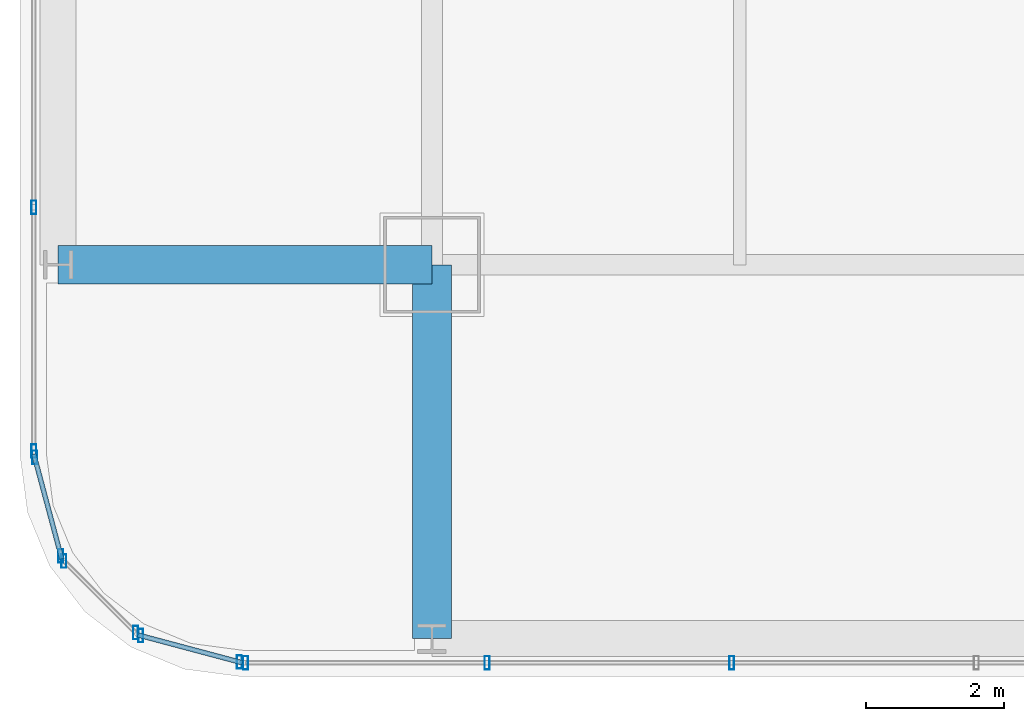
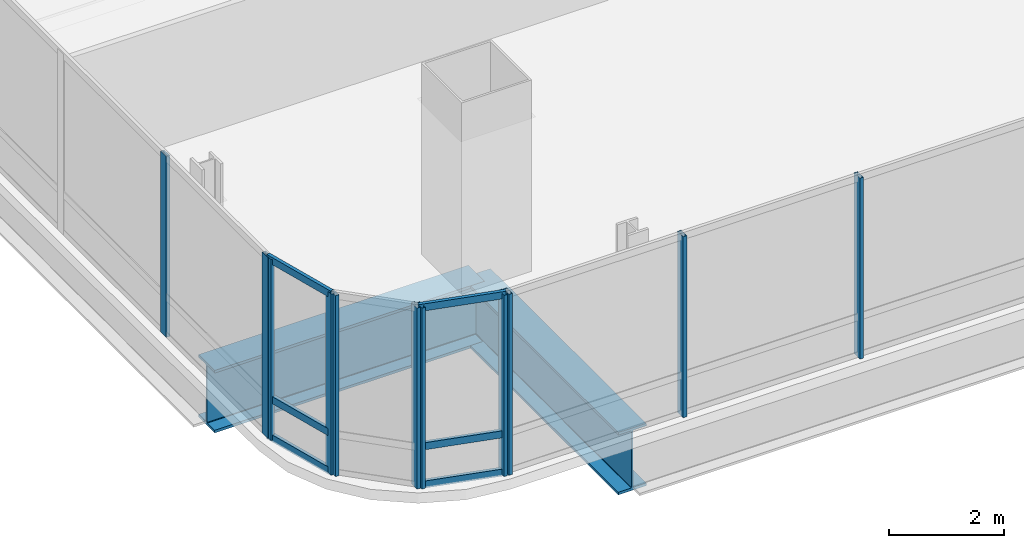
# One storey, part 2 of 36: 17 members, 2 beams, 5 elements without a shape of their own.
"""IFC4 building model written with IfcOpenShell, lengths in metres."""

import ifcopenshell
import ifcopenshell.guid

model = None  # the IFC model being written
_history = None  # IfcOwnerHistory: only IFC2X3 demands one
_inside = {}  # id of a spatial element -> (the spatial element, [elements in it])
_under = {}  # id of a project, library or spatial element -> (it, [spatial elements below it])
_declared = {}  # id of a project -> (the project, [libraries it declares])
_typed = {}  # id of a type object -> (the type object, [elements of that type])
_made_of = {}  # id of a material, layer set ... -> (it, [elements and type objects made of it])


def new_model(schema):
    """Start an empty IFC model of exactly this schema.

    Asked for "IFC4X3", IfcOpenShell would pick the latest addendum, in which some entities
    have other attributes; the version numbers below select the first issue.
    IFC2X3 requires an IfcOwnerHistory on every rooted entity: one is made here for all.
    """
    global model, _history
    if schema == "IFC4X3":
        model = ifcopenshell.file(schema_version=(4, 3, 0, 0))
    else:
        model = ifcopenshell.file(schema=schema)
    _inside.clear()
    _under.clear()
    _declared.clear()
    _typed.clear()
    _made_of.clear()
    _history = None
    if model.schema == "IFC2X3":
        org = make("IfcOrganization", Name="unknown")
        user = make(
            "IfcPersonAndOrganization",
            ThePerson=make("IfcPerson", FamilyName="unknown"),
            TheOrganization=org,
        )
        app = make(
            "IfcApplication",
            ApplicationDeveloper=org,
            Version="unknown",
            ApplicationFullName="unknown",
            ApplicationIdentifier="unknown",
        )
        _history = make(
            "IfcOwnerHistory",
            OwningUser=user,
            OwningApplication=app,
            ChangeAction="ADDED",
            CreationDate=0,
        )
    return model


def make(cls, **values):
    """One entity of the class cls with the attributes given. An attribute that is None is left unset."""
    return model.create_entity(
        cls, **{name: value for name, value in values.items() if value is not None}
    )


def rooted(cls, **values):
    """An entity with a GlobalId (a new one), such as an element, a storey or a relation."""
    return make(cls, GlobalId=ifcopenshell.guid.new(), OwnerHistory=_history, **values)


def si_unit(unit_type, name, prefix=None):
    """IfcSIUnit, for example si_unit("LENGTHUNIT", "METRE", prefix="MILLI")."""
    return make("IfcSIUnit", UnitType=unit_type, Prefix=prefix, Name=name)


def assignment(units):
    """IfcUnitAssignment: the units of a project."""
    return None if units is None else make("IfcUnitAssignment", Units=units)


def point(xyz):
    """IfcCartesianPoint."""
    return None if xyz is None else make("IfcCartesianPoint", Coordinates=xyz)


def direction(xyz):
    """IfcDirection."""
    return None if xyz is None else make("IfcDirection", DirectionRatios=xyz)


def frame(location, z_axis=None, x_axis=None):
    """IfcAxis2Placement3D, a coordinate frame: its origin and axes. An axis left out is left unset."""
    return make(
        "IfcAxis2Placement3D",
        Location=point(location),
        Axis=direction(z_axis),
        RefDirection=direction(x_axis),
    )


def frame_2d(location, x_axis=None):
    """IfcAxis2Placement2D, a coordinate frame in the plane: its origin and x axis."""
    return make(
        "IfcAxis2Placement2D", Location=point(location), RefDirection=direction(x_axis)
    )


def origin():
    """The frame at (0, 0, 0) with its axes left unset."""
    return frame((0.0, 0.0, 0.0))


def origin_2d():
    """The frame at (0, 0) in the plane with its x axis left unset."""
    return frame_2d((0.0, 0.0))


def place(relative_to, where):
    """IfcLocalPlacement: puts the frame where relative to a parent placement (None: the world)."""
    return make(
        "IfcLocalPlacement", PlacementRelTo=relative_to, RelativePlacement=where
    )


def context(
    kind, dimensions, precision=None, world=None, true_north=None, identifier=None
):
    """IfcGeometricRepresentationContext, for example the 3D "Model" context."""
    return make(
        "IfcGeometricRepresentationContext",
        ContextIdentifier=identifier,
        ContextType=kind,
        CoordinateSpaceDimension=dimensions,
        Precision=precision,
        WorldCoordinateSystem=world,
        TrueNorth=true_north,
    )


def subcontext(parent, identifier, kind, view, scale=None):
    """IfcGeometricRepresentationSubContext, for example "Body" below "Model"."""
    return make(
        "IfcGeometricRepresentationSubContext",
        ContextIdentifier=identifier,
        ContextType=kind,
        ParentContext=parent,
        TargetScale=scale,
        TargetView=view,
    )


def project(units=None, contexts=None):
    """IfcProject with its units and contexts."""
    return rooted(
        "IfcProject",
        Name="project",
        RepresentationContexts=contexts,
        UnitsInContext=assignment(units),
    )


def spatial(cls, under=None, at=None, **own):
    """A site, building, storey or space (cls), placed at a placement, below another one or the project."""
    s = rooted(cls, ObjectPlacement=at, **own)
    if under is not None:
        _under.setdefault(under.id(), (under, []))[1].append(s)
    return s


def profile(cls, at=None, kind="AREA", **sizes):
    """A parametric profile (cls). Its sizes go by their IFC names, for example OverallWidth=200.0."""
    return make(cls, ProfileType=kind, Position=at, **sizes)


def hollow_rectangle(**sizes):
    """IfcRectangleHollowProfileDef."""
    return profile("IfcRectangleHollowProfileDef", **sizes)


def i_section(**sizes):
    """IfcIShapeProfileDef."""
    return profile("IfcIShapeProfileDef", **sizes)


def extrude(swept, where, along, depth):
    """IfcExtrudedAreaSolid: the profile swept, set in the frame where, extruded along a direction by depth."""
    return make(
        "IfcExtrudedAreaSolid",
        SweptArea=swept,
        Position=where,
        ExtrudedDirection=direction(along),
        Depth=depth,
    )


def shape(context_of_items, identifier, shape_type, items):
    """IfcShapeRepresentation: the items that make up one representation, for example the "Body"."""
    return make(
        "IfcShapeRepresentation",
        ContextOfItems=context_of_items,
        RepresentationIdentifier=identifier,
        RepresentationType=shape_type,
        Items=items,
    )


def material(Name=None, Category=None):
    """IfcMaterial."""
    return make("IfcMaterial", Name=Name, Category=Category)


def material_profile(
    of_material, cross_section, Name=None, Category=None, Priority=None
):
    """IfcMaterialProfile: a cross section and its material."""
    return make(
        "IfcMaterialProfile",
        Name=Name,
        Material=of_material,
        Profile=cross_section,
        Priority=Priority,
        Category=Category,
    )


def profile_set(profiles, Name=None, composite=None):
    """IfcMaterialProfileSet."""
    return make(
        "IfcMaterialProfileSet",
        Name=Name,
        MaterialProfiles=profiles,
        CompositeProfile=composite,
    )


def made_of(thing, what):
    """Note that an element or type object is made of a material, layer set ...; save() writes the relation."""
    if what is not None:
        _made_of.setdefault(what.id(), (what, []))[1].append(thing)
    return thing


def type_object(cls, material=None, **own):
    """A type object (cls), such as IfcWallType, which elements share."""
    return made_of(rooted(cls, **own), material)


def element(
    cls,
    number,
    at=None,
    inside=None,
    cuts=None,
    type_object=None,
    material=None,
    context=None,
    identifier="Body",
    shape_type=None,
    held_by="IfcProductDefinitionShape",
    body=None,
    shapes=None,
    **own,
):
    """One element of the class cls, such as IfcWall. Its Tag is "e" and its number.

    at: its placement. inside: the storey or other place that contains it. cuts: it is an
    opening in that element (IfcRelVoidsElement). A single representation is given by context,
    identifier, shape_type and body (its items); several are given by shapes. held_by: the class
    of the entity that holds the representations. save() writes the other relations.
    """
    e = rooted(cls, Tag="e%d" % number, ObjectPlacement=at, **own)
    if body is not None:
        shapes = [shape(context, identifier, shape_type, body)]
    if shapes is not None:
        e.Representation = make(held_by, Representations=shapes)
    if inside is not None:
        _inside.setdefault(inside.id(), (inside, []))[1].append(e)
    if cuts is not None:
        rooted(
            "IfcRelVoidsElement", RelatingBuildingElement=cuts, RelatedOpeningElement=e
        )
    if type_object is not None:
        _typed.setdefault(type_object.id(), (type_object, []))[1].append(e)
    return made_of(e, material)


def aggregate(whole, parts):
    """IfcRelAggregates: a whole, such as a stair, and the parts it consists of."""
    return rooted("IfcRelAggregates", RelatingObject=whole, RelatedObjects=parts)


def save(model, path):
    """Write the relations noted so far, then the file.

    IfcRelAggregates (storeys below a building ...), IfcRelContainedInSpatialStructure (elements
    in a storey), IfcRelDefinesByType, IfcRelAssociatesMaterial and IfcRelDeclares: one each for
    every whole, place, type object, material and project.
    """
    for whole, parts in _under.values():
        aggregate(whole, parts)
    for where, things in _inside.values():
        rooted(
            "IfcRelContainedInSpatialStructure",
            RelatedElements=things,
            RelatingStructure=where,
        )
    for kind, things in _typed.values():
        rooted("IfcRelDefinesByType", RelatedObjects=things, RelatingType=kind)
    for what, things in _made_of.values():
        rooted("IfcRelAssociatesMaterial", RelatedObjects=things, RelatingMaterial=what)
    for by, libraries in _declared.values():
        rooted("IfcRelDeclares", RelatingContext=by, RelatedDefinitions=libraries)
    model.write(path)


model = new_model("IFC4")

# Units and contexts
model_context = context("Model", 3, precision=1e-05, world=origin(), true_north=direction((0.0, 1.0)))
body_context = subcontext(model_context, "Body", "Model", "MODEL_VIEW")
ifc_project = project(units=[si_unit("LENGTHUNIT", "METRE"), si_unit("AREAUNIT", "SQUARE_METRE"), si_unit("VOLUMEUNIT", "CUBIC_METRE"), si_unit("PLANEANGLEUNIT", "RADIAN"), si_unit("MASSUNIT", "GRAM", prefix="KILO")], contexts=[model_context])

# Site, building, storey
site_placement = place(None, origin())
site = spatial("IfcSite", under=ifc_project, at=site_placement, CompositionType="ELEMENT")
building_placement = place(site_placement, origin())
building = spatial("IfcBuilding", under=site, at=building_placement, Name="Punatoya Terracotta Tower", CompositionType="ELEMENT")
storey_placement = place(building_placement, frame((0.0, 0.0, 180.300048828125)))
storey = spatial("IfcBuildingStorey", under=building, at=storey_placement, Name="L42", CompositionType="ELEMENT", Elevation=180.300048828125)

# Beams
ifc_material_1 = material(Name="Steel S460", Category="steel")
ifc_material_profile_1 = material_profile(ifc_material_1, i_section(OverallWidth=0.56005859375, OverallDepth=1.320068359375, WebThickness=0.035888671875, FlangeThickness=0.054931640625, FilletRadius=0.01806640625, at=origin_2d()))
ifc_profile_set_1 = profile_set([ifc_material_profile_1], Name="Steel S460")
beam_type = type_object("IfcBeamType", Name="BM-TG-BLK", PredefinedType="BEAM", material=ifc_profile_set_1)
for number, where, z_axis, x_axis, name in (
    (1, (-24.5, -17.5, -0.880126953125), (1.0, 0.0, 0.0), (0.0, 1.0, 0.0), "BM-L42-CANT-W1"),
    (2, (-19.10009765625, -22.89990234375, -0.880126953125), (0.0, 1.0, 0.0), (-1.0, 0.0, 0.0), "BM-L42-CANT-S1"),
):
    element("IfcBeam", number, at=place(storey_placement, frame(where, z_axis=z_axis, x_axis=x_axis)), inside=storey, type_object=beam_type, Name=name, PredefinedType="BEAM", context=body_context, shape_type="SweptSolid", body=[
        extrude(i_section(OverallWidth=0.56005859375, OverallDepth=1.320068359375, WebThickness=0.035888671875, FlangeThickness=0.054931640625, FilletRadius=0.01806640625, at=origin_2d()), origin(), (0.0, 0.0, 1.0), 5.39990234375),
    ])

# Curtain wall, members
ifc_material_2 = material(Name="Aluminium 6063-T6 + Double Low-E Glass", Category="aluminium")
curtain_wall_type = type_object("IfcCurtainWallType", Name="CW-M2", PredefinedType="NOTDEFINED", material=ifc_material_2)
curtain_wall_1_placement = place(storey_placement, origin())
curtain_wall_1 = element("IfcCurtainWall", 3, at=curtain_wall_1_placement, inside=storey, type_object=curtain_wall_type, Name="L42 Curtain Wall CW-L42-S01-1", PredefinedType="NOTDEFINED")
ifc_material_3 = material(Name="Aluminium 6063-T6", Category="aluminium")
ifc_material_profile_2 = material_profile(ifc_material_3, hollow_rectangle(XDim=0.072021484375, YDim=0.195068359375, WallThickness=0.00439453125, at=origin_2d()))
ifc_profile_set_2 = profile_set([ifc_material_profile_2], Name="Aluminium 6063-T6")
member_type_1 = type_object("IfcMemberType", Name="CW-MUL-M2", PredefinedType="MULLION", material=ifc_profile_set_2)
member_1_placement = place(storey_placement, frame((-21.7919921875, -23.25, 0.0), z_axis=(0.0, 0.0, 1.0), x_axis=(1.0, 0.0, 0.0)))
member_1 = element("IfcMember", 4, at=member_1_placement, type_object=member_type_1, Name="CW-L42-S01-1 Mullion 00", PredefinedType="MULLION", context=body_context, shape_type="SweptSolid", body=[
    extrude(hollow_rectangle(XDim=0.072021484375, YDim=0.195068359375, WallThickness=0.00439453125, at=origin_2d()), origin(), (0.0, 0.0, 1.0), 3.829833984375),
])
member_2_placement = place(storey_placement, frame((-18.302978515625, -23.25, 0.0), z_axis=(0.0, 0.0, 1.0), x_axis=(1.0, 0.0, 0.0)))
member_2 = element("IfcMember", 5, at=member_2_placement, type_object=member_type_1, Name="CW-L42-S01-1 Mullion 01", PredefinedType="MULLION", context=body_context, shape_type="SweptSolid", body=[
    extrude(hollow_rectangle(XDim=0.072021484375, YDim=0.195068359375, WallThickness=0.00439453125, at=origin_2d()), origin(), (0.0, 0.0, 1.0), 3.829833984375),
])
member_3_placement = place(storey_placement, frame((-14.768798828125, -23.25, 0.0), z_axis=(0.0, 0.0, 1.0), x_axis=(1.0, 0.0, 0.0)))
member_3 = element("IfcMember", 6, at=member_3_placement, type_object=member_type_1, Name="CW-L42-S01-1 Mullion 02", PredefinedType="MULLION", context=body_context, shape_type="SweptSolid", body=[
    extrude(hollow_rectangle(XDim=0.072021484375, YDim=0.195068359375, WallThickness=0.00439453125, at=origin_2d()), origin(), (0.0, 0.0, 1.0), 3.829833984375),
])
aggregate(curtain_wall_1, [member_1, member_2, member_3])

curtain_wall_2_placement = place(storey_placement, origin())
curtain_wall_2 = element("IfcCurtainWall", 7, at=curtain_wall_2_placement, inside=storey, type_object=curtain_wall_type, Name="L42 Curtain Wall CW-L42-W13-1", PredefinedType="NOTDEFINED")
member_4_placement = place(storey_placement, frame((-24.85009765625, -16.66943359375, 0.0), z_axis=(0.0, 0.0, 1.0), x_axis=(1.0, 0.0, 0.0)))
member_4 = element("IfcMember", 8, at=member_4_placement, type_object=member_type_1, Name="CW-L42-W13-1 Mullion 09", PredefinedType="MULLION", context=body_context, shape_type="SweptSolid", body=[
    extrude(hollow_rectangle(XDim=0.072021484375, YDim=0.195068359375, WallThickness=0.00439453125, at=origin_2d()), origin(), (0.0, 0.0, 1.0), 3.829833984375),
])
member_5_placement = place(storey_placement, frame((-24.85009765625, -20.19189453125, 0.0), z_axis=(0.0, 0.0, 1.0), x_axis=(1.0, 0.0, 0.0)))
member_5 = element("IfcMember", 9, at=member_5_placement, type_object=member_type_1, Name="CW-L42-W13-1 Mullion 10", PredefinedType="MULLION", context=body_context, shape_type="SweptSolid", body=[
    extrude(hollow_rectangle(XDim=0.072021484375, YDim=0.195068359375, WallThickness=0.00439453125, at=origin_2d()), origin(), (0.0, 0.0, 1.0), 3.829833984375),
])
aggregate(curtain_wall_2, [member_4, member_5])

curtain_wall_3_placement = place(storey_placement, origin())
curtain_wall_3 = element("IfcCurtainWall", 10, at=curtain_wall_3_placement, inside=storey, type_object=curtain_wall_type, Name="L42 Curtain Wall CW-L42-CRN14", PredefinedType="NOTDEFINED")
member_6_placement = place(storey_placement, frame((-24.83837890625, -20.280517578125, 0.0), z_axis=(0.0, 0.0, 1.0), x_axis=(1.0, 0.0, 0.0)))
member_6 = element("IfcMember", 11, at=member_6_placement, type_object=member_type_1, Name="CW-L42-CRN14 Mullion 00", PredefinedType="MULLION", context=body_context, shape_type="SweptSolid", body=[
    extrude(hollow_rectangle(XDim=0.072021484375, YDim=0.195068359375, WallThickness=0.00439453125, at=origin_2d()), origin(), (0.0, 0.0, 1.0), 3.829833984375),
])
member_7_placement = place(storey_placement, frame((-24.458251953125, -21.70556640625, 0.0), z_axis=(0.0, 0.0, 1.0), x_axis=(1.0, 0.0, 0.0)))
member_7 = element("IfcMember", 12, at=member_7_placement, type_object=member_type_1, Name="CW-L42-CRN14 Mullion 01", PredefinedType="MULLION", context=body_context, shape_type="SweptSolid", body=[
    extrude(hollow_rectangle(XDim=0.072021484375, YDim=0.195068359375, WallThickness=0.00439453125, at=origin_2d()), origin(), (0.0, 0.0, 1.0), 3.829833984375),
])

curtain_wall_4_placement = place(storey_placement, origin())
curtain_wall_4 = element("IfcCurtainWall", 13, at=curtain_wall_4_placement, inside=storey, type_object=curtain_wall_type, Name="L42 Curtain Wall CW-L42-CRN15", PredefinedType="NOTDEFINED")
member_8_placement = place(storey_placement, frame((-24.414794921875, -21.781005859375, 0.0), z_axis=(0.0, 0.0, 1.0), x_axis=(1.0, 0.0, 0.0)))
member_8 = element("IfcMember", 14, at=member_8_placement, type_object=member_type_1, Name="CW-L42-CRN15 Mullion 00", PredefinedType="MULLION", context=body_context, shape_type="SweptSolid", body=[
    extrude(hollow_rectangle(XDim=0.072021484375, YDim=0.195068359375, WallThickness=0.00439453125, at=origin_2d()), origin(), (0.0, 0.0, 1.0), 3.829833984375),
])
member_9_placement = place(storey_placement, frame((-23.380859375, -22.814697265625, 0.0), z_axis=(0.0, 0.0, 1.0), x_axis=(1.0, 0.0, 0.0)))
member_9 = element("IfcMember", 15, at=member_9_placement, type_object=member_type_1, Name="CW-L42-CRN15 Mullion 01", PredefinedType="MULLION", context=body_context, shape_type="SweptSolid", body=[
    extrude(hollow_rectangle(XDim=0.072021484375, YDim=0.195068359375, WallThickness=0.00439453125, at=origin_2d()), origin(), (0.0, 0.0, 1.0), 3.829833984375),
])
aggregate(curtain_wall_4, [member_8, member_9])

curtain_wall_5_placement = place(storey_placement, origin())
curtain_wall_5 = element("IfcCurtainWall", 16, at=curtain_wall_5_placement, inside=storey, type_object=curtain_wall_type, Name="L42 Curtain Wall CW-L42-CRN16", PredefinedType="NOTDEFINED")
member_10_placement = place(storey_placement, frame((-23.3056640625, -22.858154296875, 0.0), z_axis=(0.0, 0.0, 1.0), x_axis=(1.0, 0.0, 0.0)))
member_10 = element("IfcMember", 17, at=member_10_placement, type_object=member_type_1, Name="CW-L42-CRN16 Mullion 00", PredefinedType="MULLION", context=body_context, shape_type="SweptSolid", body=[
    extrude(hollow_rectangle(XDim=0.072021484375, YDim=0.195068359375, WallThickness=0.00439453125, at=origin_2d()), origin(), (0.0, 0.0, 1.0), 3.829833984375),
])
member_11_placement = place(storey_placement, frame((-21.88037109375, -23.23828125, 0.0), z_axis=(0.0, 0.0, 1.0), x_axis=(1.0, 0.0, 0.0)))
member_11 = element("IfcMember", 18, at=member_11_placement, type_object=member_type_1, Name="CW-L42-CRN16 Mullion 01", PredefinedType="MULLION", context=body_context, shape_type="SweptSolid", body=[
    extrude(hollow_rectangle(XDim=0.072021484375, YDim=0.195068359375, WallThickness=0.00439453125, at=origin_2d()), origin(), (0.0, 0.0, 1.0), 3.829833984375),
])

# Member
ifc_material_profile_3 = material_profile(ifc_material_3, hollow_rectangle(XDim=0.068115234375, YDim=0.14990234375, WallThickness=0.00390625, at=origin_2d()))
ifc_profile_set_3 = profile_set([ifc_material_profile_3], Name="Aluminium 6063-T6")
member_type_2 = type_object("IfcMemberType", Name="CW-TRN-TYP", PredefinedType="USERDEFINED", material=ifc_profile_set_3)
member_12_placement = place(storey_placement, frame((-24.85009765625, -20.23681640625, 0.0400390625), z_axis=(0.257847112249, -0.966185730957, 0.0), x_axis=(0.966185730957, 0.257847112249, 0.0)))
member_12 = element("IfcMember", 19, at=member_12_placement, type_object=member_type_2, Name="CW-L42-CRN14 Transom 1", ObjectType="TRANSOM", PredefinedType="USERDEFINED", context=body_context, shape_type="SweptSolid", body=[
    extrude(hollow_rectangle(XDim=0.068115234375, YDim=0.14990234375, WallThickness=0.00390625, at=origin_2d()), origin(), (0.0, 0.0, 1.0), 1.565185546875),
])

member_13_placement = place(storey_placement, frame((-24.85009765625, -20.23681640625, 0.849853515625), z_axis=(0.257847112249, -0.966185730957, 0.0), x_axis=(0.966185730957, 0.257847112249, 0.0)))
member_13 = element("IfcMember", 20, at=member_13_placement, type_object=member_type_2, Name="CW-L42-CRN14 Transom 2", ObjectType="TRANSOM", PredefinedType="USERDEFINED", context=body_context, shape_type="SweptSolid", body=[
    extrude(hollow_rectangle(XDim=0.068115234375, YDim=0.14990234375, WallThickness=0.00390625, at=origin_2d()), origin(), (0.0, 0.0, 1.0), 1.565185546875),
])

member_14_placement = place(storey_placement, frame((-24.85009765625, -20.23681640625, 3.7900390625), z_axis=(0.257847112249, -0.966185730957, 0.0), x_axis=(0.966185730957, 0.257847112249, 0.0)))
member_14 = element("IfcMember", 21, at=member_14_placement, type_object=member_type_2, Name="CW-L42-CRN14 Transom 3", ObjectType="TRANSOM", PredefinedType="USERDEFINED", context=body_context, shape_type="SweptSolid", body=[
    extrude(hollow_rectangle(XDim=0.068115234375, YDim=0.14990234375, WallThickness=0.00390625, at=origin_2d()), origin(), (0.0, 0.0, 1.0), 1.565185546875),
])

aggregate(curtain_wall_3, [member_6, member_7, member_12, member_13, member_14])

member_15_placement = place(storey_placement, frame((-23.34912109375, -22.8466796875, 0.0400390625), z_axis=(0.966224582397, -0.257701486942, 0.0), x_axis=(0.257701486942, 0.966224582397, 0.0)))
member_15 = element("IfcMember", 22, at=member_15_placement, type_object=member_type_2, Name="CW-L42-CRN16 Transom 1", ObjectType="TRANSOM", PredefinedType="USERDEFINED", context=body_context, shape_type="SweptSolid", body=[
    extrude(hollow_rectangle(XDim=0.068115234375, YDim=0.14990234375, WallThickness=0.00390625, at=origin_2d()), origin(), (0.0, 0.0, 1.0), 1.565185546875),
])

member_16_placement = place(storey_placement, frame((-23.34912109375, -22.8466796875, 0.849853515625), z_axis=(0.966224582397, -0.257701486942, 0.0), x_axis=(0.257701486942, 0.966224582397, 0.0)))
member_16 = element("IfcMember", 23, at=member_16_placement, type_object=member_type_2, Name="CW-L42-CRN16 Transom 2", ObjectType="TRANSOM", PredefinedType="USERDEFINED", context=body_context, shape_type="SweptSolid", body=[
    extrude(hollow_rectangle(XDim=0.068115234375, YDim=0.14990234375, WallThickness=0.00390625, at=origin_2d()), origin(), (0.0, 0.0, 1.0), 1.565185546875),
])

member_17_placement = place(storey_placement, frame((-23.34912109375, -22.8466796875, 3.7900390625), z_axis=(0.966224582397, -0.257701486942, 0.0), x_axis=(0.257701486942, 0.966224582397, 0.0)))
member_17 = element("IfcMember", 24, at=member_17_placement, type_object=member_type_2, Name="CW-L42-CRN16 Transom 3", ObjectType="TRANSOM", PredefinedType="USERDEFINED", context=body_context, shape_type="SweptSolid", body=[
    extrude(hollow_rectangle(XDim=0.068115234375, YDim=0.14990234375, WallThickness=0.00390625, at=origin_2d()), origin(), (0.0, 0.0, 1.0), 1.565185546875),
])

aggregate(curtain_wall_5, [member_10, member_11, member_15, member_16, member_17])

save(model, "model.ifc")
